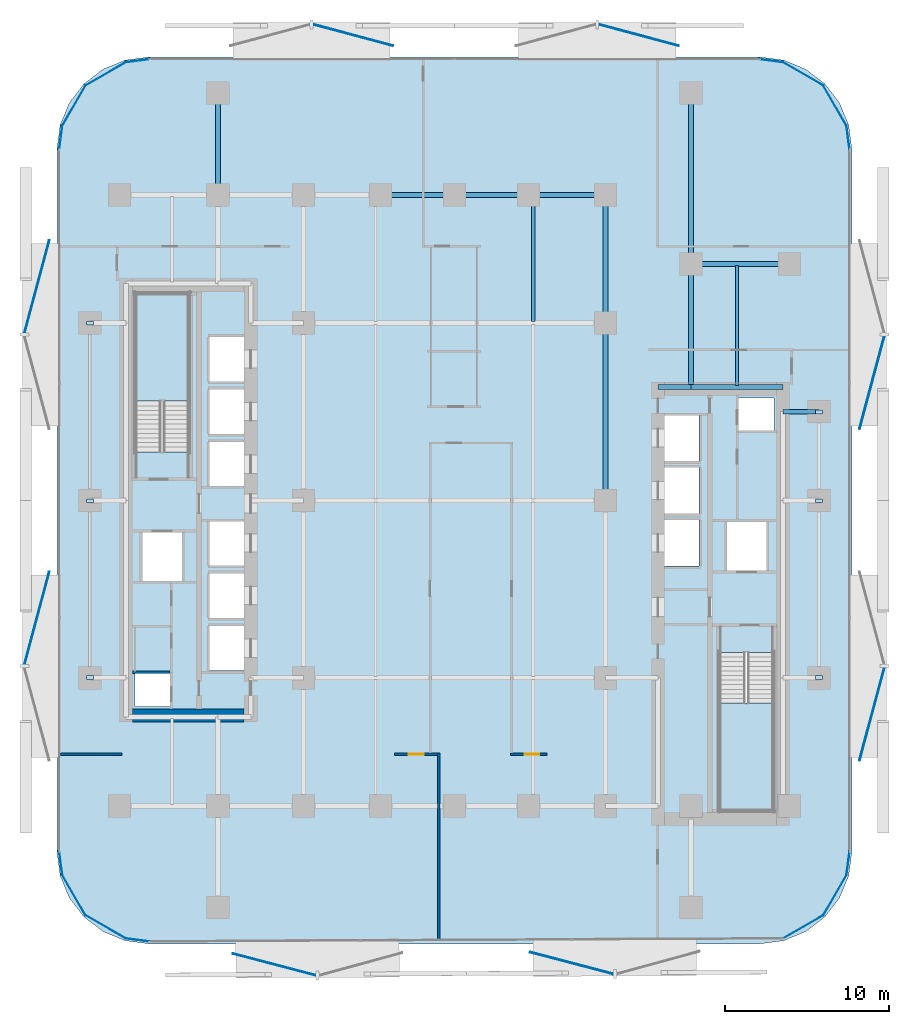
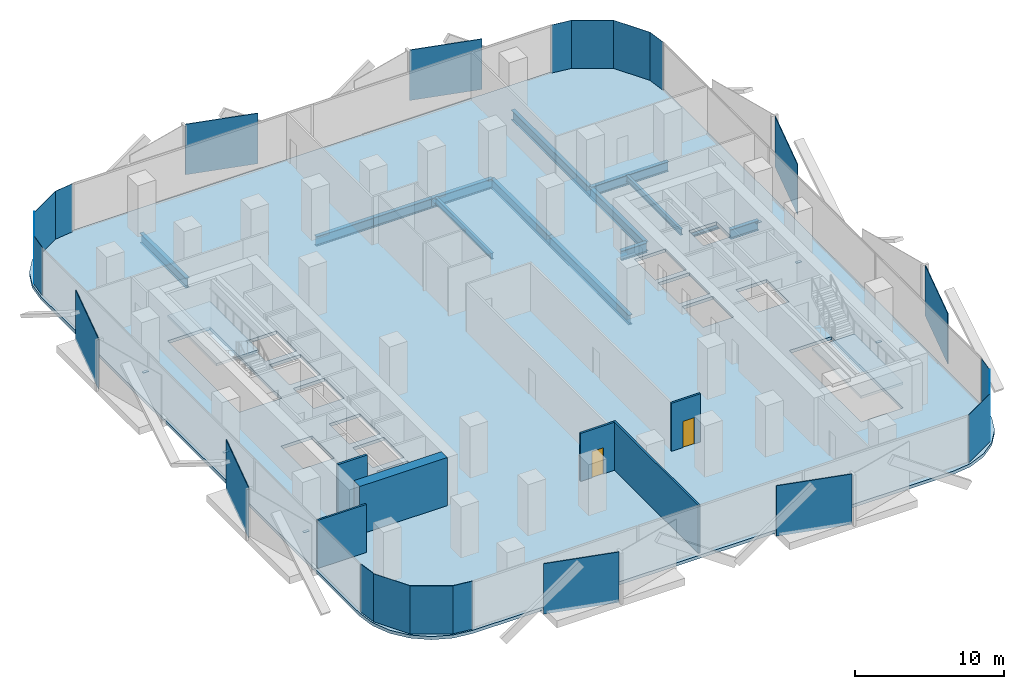
# One storey, part 2 of 14: 29 plates, 14 beams, 6 walls, 3 slabs, 2 doors, 2 openings, 2 elements without a shape of their own.
"""IFC4 building model written with IfcOpenShell, lengths in metres."""

from ifc_helpers import new_model, si_unit, direction, frame, frame_2d, origin, origin_2d, place, context, subcontext, project, spatial, polyline, rectangle, i_section, outline, extrude, material, layer, layer_set, material_profile, profile_set, type_object, element, fill, aggregate, save


model = new_model("IFC4")

# Units and contexts
model_context = context("Model", 3, precision=1e-05, world=origin(), true_north=direction((0.0, 1.0)))
body_context = subcontext(model_context, "Body", "Model", "MODEL_VIEW")
ifc_project = project(units=[si_unit("LENGTHUNIT", "METRE"), si_unit("AREAUNIT", "SQUARE_METRE"), si_unit("VOLUMEUNIT", "CUBIC_METRE"), si_unit("PLANEANGLEUNIT", "RADIAN"), si_unit("MASSUNIT", "GRAM", prefix="KILO")], contexts=[model_context])

# Site, building, storey
site_placement = place(None, origin())
site = spatial("IfcSite", under=ifc_project, at=site_placement, CompositionType="ELEMENT")
building_placement = place(site_placement, origin())
building = spatial("IfcBuilding", under=site, at=building_placement, Name="Khairoan Windgate Tower", CompositionType="ELEMENT")
storey_placement = place(building_placement, frame((0.0, 0.0, 63.800048828125)))
storey = spatial("IfcBuildingStorey", under=building, at=storey_placement, Name="L15", CompositionType="ELEMENT", Elevation=63.800048828125)

# Beams
ifc_material_1 = material(Name="Steel S355", Category="steel")
ifc_material_profile_1 = material_profile(ifc_material_1, i_section(OverallWidth=0.300048828125, OverallDepth=0.800048828125, WebThickness=0.013916015625, FlangeThickness=0.02587890625, FilletRadius=0.028076171875, at=origin_2d()))
ifc_profile_set_1 = profile_set([ifc_material_profile_1], Name="Steel S355")
beam_type_1 = type_object("IfcBeamType", Name="Beam B-G2 H800x300x14x26", PredefinedType="BEAM", material=ifc_profile_set_1)
beam_1_placement = place(storey_placement, frame((20.0, 5.39990234375, -0.66015625), z_axis=(1.0, 0.0, 0.0), x_axis=(0.0, 1.0, 0.0)))
element("IfcBeam", 1, at=beam_1_placement, inside=storey, type_object=beam_type_1, Name="L15 E-W Primary Girder 19", PredefinedType="BEAM", context=body_context, shape_type="SweptSolid", body=[
    extrude(i_section(OverallWidth=0.300048828125, OverallDepth=0.800048828125, WebThickness=0.013916015625, FlangeThickness=0.02587890625, FilletRadius=0.028076171875, at=origin_2d()), origin(), (0.0, 0.0, 1.0), 2.199951171875),
])
beam_2_placement = place(storey_placement, frame((12.39990234375, 6.89990234375, -0.66015625), z_axis=(1.0, 0.0, 0.0), x_axis=(0.0, 1.0, 0.0)))
element("IfcBeam", 2, at=beam_2_placement, inside=storey, type_object=beam_type_1, Name="L15 E-W Primary Girder 20", PredefinedType="BEAM", context=body_context, shape_type="SweptSolid", body=[
    extrude(i_section(OverallWidth=0.300048828125, OverallDepth=0.800048828125, WebThickness=0.013916015625, FlangeThickness=0.02587890625, FilletRadius=0.028076171875, at=origin_2d()), origin(), (0.0, 0.0, 1.0), 2.0),
])
beam_3_placement = place(storey_placement, frame((14.39990234375, 6.89990234375, -0.66015625), z_axis=(1.0, 0.0, 0.0), x_axis=(0.0, 1.0, 0.0)))
element("IfcBeam", 3, at=beam_3_placement, inside=storey, type_object=beam_type_1, Name="L15 E-W Primary Girder 21", PredefinedType="BEAM", context=body_context, shape_type="SweptSolid", body=[
    extrude(i_section(OverallWidth=0.300048828125, OverallDepth=0.800048828125, WebThickness=0.013916015625, FlangeThickness=0.02587890625, FilletRadius=0.028076171875, at=origin_2d()), origin(), (0.0, 0.0, 1.0), 5.60009765625),
])
beam_4_placement = place(storey_placement, frame((14.39990234375, 14.39990234375, -0.66015625), z_axis=(1.0, 0.0, 0.0), x_axis=(0.0, 1.0, 0.0)))
element("IfcBeam", 4, at=beam_4_placement, inside=storey, type_object=beam_type_1, Name="L15 E-W Primary Girder 27", PredefinedType="BEAM", context=body_context, shape_type="SweptSolid", body=[
    extrude(i_section(OverallWidth=0.300048828125, OverallDepth=0.800048828125, WebThickness=0.013916015625, FlangeThickness=0.02587890625, FilletRadius=0.028076171875, at=origin_2d()), origin(), (0.0, 0.0, 1.0), 6.0),
])
for number, where, z_axis, x_axis, name in (
    (5, (-4.5, 18.60009765625, -0.66015625), (1.0, 0.0, 0.0), (0.0, 1.0, 0.0), "L15 E-W Primary Girder 31"),
    (6, (0.0, 18.60009765625, -0.66015625), (1.0, 0.0, 0.0), (0.0, 1.0, 0.0), "L15 E-W Primary Girder 32"),
):
    element("IfcBeam", number, at=place(storey_placement, frame(where, z_axis=z_axis, x_axis=x_axis)), inside=storey, type_object=beam_type_1, Name=name, PredefinedType="BEAM", context=body_context, shape_type="SweptSolid", body=[
        extrude(i_section(OverallWidth=0.300048828125, OverallDepth=0.800048828125, WebThickness=0.013916015625, FlangeThickness=0.02587890625, FilletRadius=0.028076171875, at=origin_2d()), origin(), (0.0, 0.0, 1.0), 4.5),
    ])
beam_5_placement = place(storey_placement, frame((4.5, 18.60009765625, -0.66015625), z_axis=(1.0, 0.0, 0.0), x_axis=(0.0, 1.0, 0.0)))
element("IfcBeam", 7, at=beam_5_placement, inside=storey, type_object=beam_type_1, Name="L15 E-W Primary Girder 33", PredefinedType="BEAM", context=body_context, shape_type="SweptSolid", body=[
    extrude(i_section(OverallWidth=0.300048828125, OverallDepth=0.800048828125, WebThickness=0.013916015625, FlangeThickness=0.02587890625, FilletRadius=0.028076171875, at=origin_2d()), origin(), (0.0, 0.0, 1.0), 4.699951171875),
])
beam_6_placement = place(storey_placement, frame((-14.39990234375, 18.60009765625, -0.66015625), z_axis=(0.0, 1.0, 0.0), x_axis=(-1.0, 0.0, 0.0)))
element("IfcBeam", 8, at=beam_6_placement, inside=storey, type_object=beam_type_1, Name="L15 N-S Primary Beam 43", PredefinedType="BEAM", context=body_context, shape_type="SweptSolid", body=[
    extrude(i_section(OverallWidth=0.300048828125, OverallDepth=0.800048828125, WebThickness=0.013916015625, FlangeThickness=0.02587890625, FilletRadius=0.028076171875, at=origin_2d()), origin(), (0.0, 0.0, 1.0), 6.199951171875),
])
beam_7_placement = place(storey_placement, frame((9.199951171875, 0.0, -0.66015625), z_axis=(0.0, 1.0, 0.0), x_axis=(-1.0, 0.0, 0.0)))
element("IfcBeam", 9, at=beam_7_placement, inside=storey, type_object=beam_type_1, Name="L15 N-S Primary Beam 52", PredefinedType="BEAM", context=body_context, shape_type="SweptSolid", body=[
    extrude(i_section(OverallWidth=0.300048828125, OverallDepth=0.800048828125, WebThickness=0.013916015625, FlangeThickness=0.02587890625, FilletRadius=0.028076171875, at=origin_2d()), origin(), (0.0, 0.0, 1.0), 10.800048828125),
])
beam_8_placement = place(storey_placement, frame((9.199951171875, 10.800048828125, -0.66015625), z_axis=(0.0, 1.0, 0.0), x_axis=(-1.0, 0.0, 0.0)))
element("IfcBeam", 10, at=beam_8_placement, inside=storey, type_object=beam_type_1, Name="L15 N-S Primary Beam 53", PredefinedType="BEAM", context=body_context, shape_type="SweptSolid", body=[
    extrude(i_section(OverallWidth=0.300048828125, OverallDepth=0.800048828125, WebThickness=0.013916015625, FlangeThickness=0.02587890625, FilletRadius=0.028076171875, at=origin_2d()), origin(), (0.0, 0.0, 1.0), 7.800048828125),
])
beam_9_placement = place(storey_placement, frame((14.39990234375, 6.89990234375, -0.66015625), z_axis=(0.0, 1.0, 0.0), x_axis=(-1.0, 0.0, 0.0)))
element("IfcBeam", 11, at=beam_9_placement, inside=storey, type_object=beam_type_1, Name="L15 N-S Primary Beam 56", PredefinedType="BEAM", context=body_context, shape_type="SweptSolid", body=[
    extrude(i_section(OverallWidth=0.300048828125, OverallDepth=0.800048828125, WebThickness=0.013916015625, FlangeThickness=0.02587890625, FilletRadius=0.028076171875, at=origin_2d()), origin(), (0.0, 0.0, 1.0), 7.5),
])
beam_10_placement = place(storey_placement, frame((14.39990234375, 14.39990234375, -0.66015625), z_axis=(0.0, 1.0, 0.0), x_axis=(-1.0, 0.0, 0.0)))
element("IfcBeam", 12, at=beam_10_placement, inside=storey, type_object=beam_type_1, Name="L15 N-S Primary Beam 57", PredefinedType="BEAM", context=body_context, shape_type="SweptSolid", body=[
    extrude(i_section(OverallWidth=0.300048828125, OverallDepth=0.800048828125, WebThickness=0.013916015625, FlangeThickness=0.02587890625, FilletRadius=0.028076171875, at=origin_2d()), origin(), (0.0, 0.0, 1.0), 10.400146484375),
])
ifc_material_2 = material(Name="Steel S355", Category="steel")
ifc_material_profile_2 = material_profile(ifc_material_2, i_section(OverallWidth=0.199951171875, OverallDepth=0.5, WebThickness=0.010009765625, FlangeThickness=0.01611328125, FilletRadius=0.02001953125, at=origin_2d()))
ifc_profile_set_2 = profile_set([ifc_material_profile_2], Name="Steel S355")
beam_type_2 = type_object("IfcBeamType", Name="Beam J-S2 H500x200x10x16", PredefinedType="JOIST", material=ifc_profile_set_2)
beam_11_placement = place(storey_placement, frame((4.800048828125, 10.889892578125, -0.510009765625), z_axis=(0.0, 1.0, 0.0), x_axis=(-1.0, 0.0, 0.0)))
element("IfcBeam", 13, at=beam_11_placement, inside=storey, type_object=beam_type_2, Name="L15 Secondary Floor Joist 10", PredefinedType="JOIST", context=body_context, shape_type="SweptSolid", body=[
    extrude(i_section(OverallWidth=0.199951171875, OverallDepth=0.5, WebThickness=0.010009765625, FlangeThickness=0.01611328125, FilletRadius=0.02001953125, at=origin_2d()), origin(), (0.0, 0.0, 1.0), 7.6201171875),
])
beam_12_placement = place(storey_placement, frame((17.199951171875, 6.989990234375, -0.510009765625), z_axis=(0.0, 1.0, 0.0), x_axis=(-1.0, 0.0, 0.0)))
element("IfcBeam", 14, at=beam_12_placement, inside=storey, type_object=beam_type_2, Name="L15 Secondary Floor Joist 11", PredefinedType="JOIST", context=body_context, shape_type="SweptSolid", body=[
    extrude(i_section(OverallWidth=0.199951171875, OverallDepth=0.5, WebThickness=0.010009765625, FlangeThickness=0.01611328125, FilletRadius=0.02001953125, at=origin_2d()), origin(), (0.0, 0.0, 1.0), 7.320068359375),
])

# Plates
ifc_material_3 = material(Name="Low-E Solar Control Laminated Glass", Category="glass")
ifc_layer_1 = layer(ifc_material_3, 0.030029296875, Name="Low-E Solar Control Laminated Glass")
ifc_layer_set_1 = layer_set([ifc_layer_1], Name="Low-E Solar Control Laminated Glass")
plate_type_1 = type_object("IfcPlateType", Name="Aerodynamic Wind-Corner Curved Glazing Plate", PredefinedType="USERDEFINED", material=ifc_layer_set_1)
plate_placement = place(storey_placement, frame((-19.302001953125, -26.766357421875, 0.0), z_axis=(0.0, 0.0, 1.0), x_axis=(-0.991444861374, 0.13052619222, 0.0)))
element("IfcPlate", 15, at=plate_placement, inside=storey, type_object=plate_type_1, Name="L15 Aerodynamic Wind-Corner Curved Glazing Panel 2", ObjectType="GLAZING PANEL", PredefinedType="USERDEFINED", context=body_context, shape_type="SweptSolid", body=[
    extrude(rectangle(XDim=1.474365234375, YDim=0.028076171875, at=origin_2d()), origin(), (0.0, 0.0, 1.0), 3.93994140625),
])
for number, where, z_axis, x_axis, name in (
    (16, (-21.236328125, -25.96630859375, 0.0), (0.0, 0.0, 1.0), (-0.866025403784, 0.5, 0.0), "L15 Aerodynamic Wind-Corner Curved Glazing Panel 3"),
    (17, (-23.16650390625, -24.03662109375, 0.0), (0.0, 0.0, 1.0), (-0.5, 0.866025403784, 0.0), "L15 Aerodynamic Wind-Corner Curved Glazing Panel 4"),
):
    element("IfcPlate", number, at=place(storey_placement, frame(where, z_axis=z_axis, x_axis=x_axis)), inside=storey, type_object=plate_type_1, Name=name, ObjectType="GLAZING PANEL", PredefinedType="USERDEFINED", context=body_context, shape_type="SweptSolid", body=[
        extrude(rectangle(XDim=2.86572265625, YDim=0.028076171875, at=origin_2d()), origin(), (0.0, 0.0, 1.0), 3.93994140625),
    ])
for number, where, z_axis, x_axis, name in (
    (18, (-23.96630859375, -22.101806640625, 0.0), (0.0, 0.0, 1.0), (-0.13052619222, 0.991444861374, 0.0), "L15 Aerodynamic Wind-Corner Curved Glazing Panel 5"),
    (19, (-23.96630859375, 22.101806640625, 0.0), (0.0, 0.0, 1.0), (0.13052619222, 0.991444861374, 0.0), "L15 Aerodynamic Wind-Corner Curved Glazing Panel 7"),
):
    element("IfcPlate", number, at=place(storey_placement, frame(where, z_axis=z_axis, x_axis=x_axis)), inside=storey, type_object=plate_type_1, Name=name, ObjectType="GLAZING PANEL", PredefinedType="USERDEFINED", context=body_context, shape_type="SweptSolid", body=[
        extrude(rectangle(XDim=1.474365234375, YDim=0.028076171875, at=origin_2d()), origin(), (0.0, 0.0, 1.0), 3.93994140625),
    ])
for number, where, z_axis, x_axis, name in (
    (20, (-23.16650390625, 24.03662109375, 0.0), (0.0, 0.0, 1.0), (0.5, 0.866025403784, 0.0), "L15 Aerodynamic Wind-Corner Curved Glazing Panel 8"),
    (21, (-21.236328125, 25.96630859375, 0.0), (0.0, 0.0, 1.0), (0.866025403784, 0.5, 0.0), "L15 Aerodynamic Wind-Corner Curved Glazing Panel 9"),
):
    element("IfcPlate", number, at=place(storey_placement, frame(where, z_axis=z_axis, x_axis=x_axis)), inside=storey, type_object=plate_type_1, Name=name, ObjectType="GLAZING PANEL", PredefinedType="USERDEFINED", context=body_context, shape_type="SweptSolid", body=[
        extrude(rectangle(XDim=2.86572265625, YDim=0.028076171875, at=origin_2d()), origin(), (0.0, 0.0, 1.0), 3.93994140625),
    ])
for number, where, z_axis, x_axis, name in (
    (22, (-19.302001953125, 26.766357421875, 0.0), (0.0, 0.0, 1.0), (0.991444861374, 0.13052619222, 0.0), "L15 Aerodynamic Wind-Corner Curved Glazing Panel 10"),
    (23, (19.302001953125, 26.766357421875, 0.0), (0.0, 0.0, 1.0), (0.991444861374, -0.13052619222, 0.0), "L15 Aerodynamic Wind-Corner Curved Glazing Panel 12"),
):
    element("IfcPlate", number, at=place(storey_placement, frame(where, z_axis=z_axis, x_axis=x_axis)), inside=storey, type_object=plate_type_1, Name=name, ObjectType="GLAZING PANEL", PredefinedType="USERDEFINED", context=body_context, shape_type="SweptSolid", body=[
        extrude(rectangle(XDim=1.474365234375, YDim=0.028076171875, at=origin_2d()), origin(), (0.0, 0.0, 1.0), 3.93994140625),
    ])
for number, where, z_axis, x_axis, name in (
    (24, (21.236328125, 25.96630859375, 0.0), (0.0, 0.0, 1.0), (0.866025403784, -0.5, 0.0), "L15 Aerodynamic Wind-Corner Curved Glazing Panel 13"),
    (25, (23.16650390625, 24.03662109375, 0.0), (0.0, 0.0, 1.0), (0.5, -0.866025403784, 0.0), "L15 Aerodynamic Wind-Corner Curved Glazing Panel 14"),
):
    element("IfcPlate", number, at=place(storey_placement, frame(where, z_axis=z_axis, x_axis=x_axis)), inside=storey, type_object=plate_type_1, Name=name, ObjectType="GLAZING PANEL", PredefinedType="USERDEFINED", context=body_context, shape_type="SweptSolid", body=[
        extrude(rectangle(XDim=2.86572265625, YDim=0.028076171875, at=origin_2d()), origin(), (0.0, 0.0, 1.0), 3.93994140625),
    ])
for number, where, z_axis, x_axis, name in (
    (26, (23.96630859375, 22.101806640625, 0.0), (0.0, 0.0, 1.0), (0.13052619222, -0.991444861374, 0.0), "L15 Aerodynamic Wind-Corner Curved Glazing Panel 15"),
    (27, (23.96630859375, -22.101806640625, 0.0), (0.0, 0.0, 1.0), (-0.13052619222, -0.991444861374, 0.0), "L15 Aerodynamic Wind-Corner Curved Glazing Panel 17"),
):
    element("IfcPlate", number, at=place(storey_placement, frame(where, z_axis=z_axis, x_axis=x_axis)), inside=storey, type_object=plate_type_1, Name=name, ObjectType="GLAZING PANEL", PredefinedType="USERDEFINED", context=body_context, shape_type="SweptSolid", body=[
        extrude(rectangle(XDim=1.474365234375, YDim=0.028076171875, at=origin_2d()), origin(), (0.0, 0.0, 1.0), 3.93994140625),
    ])
for number, where, z_axis, x_axis, name in (
    (28, (23.16650390625, -24.03662109375, 0.0), (0.0, 0.0, 1.0), (-0.5, -0.866025403784, 0.0), "L15 Aerodynamic Wind-Corner Curved Glazing Panel 18"),
    (29, (21.236328125, -25.96630859375, 0.0), (0.0, 0.0, 1.0), (-0.866025403784, -0.5, 0.0), "L15 Aerodynamic Wind-Corner Curved Glazing Panel 19"),
):
    element("IfcPlate", number, at=place(storey_placement, frame(where, z_axis=z_axis, x_axis=x_axis)), inside=storey, type_object=plate_type_1, Name=name, ObjectType="GLAZING PANEL", PredefinedType="USERDEFINED", context=body_context, shape_type="SweptSolid", body=[
        extrude(rectangle(XDim=2.86572265625, YDim=0.028076171875, at=origin_2d()), origin(), (0.0, 0.0, 1.0), 3.93994140625),
    ])
ifc_material_4 = material(Name="Steel S355", Category="steel")
ifc_layer_2 = layer(ifc_material_4, 0.0400390625, Name="Steel S355")
ifc_layer_set_2 = layer_set([ifc_layer_2], Name="Steel S355")
plate_type_2 = type_object("IfcPlateType", Name="Hollow Section End-Cap Plate PL-CAP40", PredefinedType="SHEET", material=ifc_layer_set_2)
for number, where, z_axis, x_axis, name in (
    (30, (-22.199951171875, -10.784912109375, -0.47998046875), (0.0, 0.0, 1.0), (0.0, 1.0, 0.0), "BM-SP-L15-034 steel end-cap plate 1"),
    (31, (-22.199951171875, -0.014892578125, -0.47998046875), (0.0, 0.0, 1.0), (0.0, 1.0, 0.0), "BM-SP-L15-034 steel end-cap plate 2"),
    (32, (-22.199951171875, 10.784912109375, -0.47998046875), (0.0, 0.0, 1.0), (0.0, 1.0, 0.0), "BM-SP-L15-035 steel end-cap plate 2"),
    (33, (22.199951171875, -10.784912109375, -0.47998046875), (0.0, 0.0, 1.0), (0.0, 1.0, 0.0), "BM-SP-L15-061 steel end-cap plate 1"),
    (34, (22.199951171875, -0.014892578125, -0.47998046875), (0.0, 0.0, 1.0), (0.0, 1.0, 0.0), "BM-SP-L15-061 steel end-cap plate 2"),
    (35, (22.199951171875, 5.385009765625, -0.47998046875), (0.0, 0.0, 1.0), (0.0, 1.0, 0.0), "BM-SP-L15-062 steel end-cap plate 2"),
):
    element("IfcPlate", number, at=place(storey_placement, frame(where, z_axis=z_axis, x_axis=x_axis)), inside=storey, type_object=plate_type_2, Name=name, PredefinedType="SHEET", context=body_context, shape_type="SweptSolid", body=[
        extrude(rectangle(XDim=0.219970703125, YDim=0.419921875, at=origin_2d()), origin(), (0.0, 0.0, 1.0), 0.0400390625),
    ])
ifc_material_5 = material(Name="Anodised Bronze Aluminium 6063-T6", Category="aluminium")
ifc_layer_3 = layer(ifc_material_5, 0.054931640625, Name="Anodised Bronze Aluminium 6063-T6")
ifc_layer_set_3 = layer_set([ifc_layer_3], Name="Anodised Bronze Aluminium 6063-T6")
plate_type_3 = type_object("IfcPlateType", Name="Perforated Bronze Solar Screen Panel BSP-1", PredefinedType="USERDEFINED", material=ifc_layer_set_3)
for number, where, z_axis, x_axis, name in (
    (36, (7.143310546875, -28.17578125, -0.10009765625), (0.0, 0.0, 1.0), (-0.967179115616, 0.254095569259, 0.0), "L15 Perforated Bronze Solar Screen Panel 73R"),
    (37, (-10.95849609375, -28.263671875, -0.10009765625), (0.0, 0.0, 1.0), (-0.967179115616, 0.254095569259, 0.0), "L15 Perforated Bronze Solar Screen Panel 74R"),
):
    element("IfcPlate", number, at=place(storey_placement, frame(where, z_axis=z_axis, x_axis=x_axis)), inside=storey, type_object=plate_type_3, Name=name, ObjectType="SCREEN", PredefinedType="USERDEFINED", context=body_context, shape_type="SweptSolid", body=[
        extrude(rectangle(XDim=5.25, YDim=0.054931640625, at=origin_2d()), origin(), (0.0, 0.0, 1.0), 4.139892578125),
    ])
for number, where, z_axis, x_axis, name in (
    (38, (-25.42236328125, -7.177734375, -0.10009765625), (0.0, 0.0, 1.0), (0.258819045103, 0.965925826289, 0.0), "L15 Perforated Bronze Solar Screen Panel 75R"),
    (39, (-25.42236328125, 13.01318359375, -0.10009765625), (0.0, 0.0, 1.0), (0.258819045103, 0.965925826289, 0.0), "L15 Perforated Bronze Solar Screen Panel 76R"),
):
    element("IfcPlate", number, at=place(storey_placement, frame(where, z_axis=z_axis, x_axis=x_axis)), inside=storey, type_object=plate_type_3, Name=name, ObjectType="SCREEN", PredefinedType="USERDEFINED", context=body_context, shape_type="SweptSolid", body=[
        extrude(rectangle(XDim=5.85498046875, YDim=0.054931640625, at=origin_2d()), origin(), (0.0, 0.0, 1.0), 4.139892578125),
    ])
for number, where, z_axis, x_axis, name in (
    (40, (-6.169921875, 28.327392578125, -0.10009765625), (0.0, 0.0, 1.0), (0.965925826289, -0.258819045103, 0.0), "L15 Perforated Bronze Solar Screen Panel 77R"),
    (41, (11.220947265625, 28.327392578125, -0.10009765625), (0.0, 0.0, 1.0), (0.965925826289, -0.258819045103, 0.0), "L15 Perforated Bronze Solar Screen Panel 78R"),
):
    element("IfcPlate", number, at=place(storey_placement, frame(where, z_axis=z_axis, x_axis=x_axis)), inside=storey, type_object=plate_type_3, Name=name, ObjectType="SCREEN", PredefinedType="USERDEFINED", context=body_context, shape_type="SweptSolid", body=[
        extrude(rectangle(XDim=5.04296875, YDim=0.054931640625, at=origin_2d()), origin(), (0.0, 0.0, 1.0), 4.139892578125),
    ])
for number, where, z_axis, x_axis, name in (
    (42, (25.42236328125, 7.177734375, -0.10009765625), (0.0, 0.0, 1.0), (-0.258819045103, -0.965925826289, 0.0), "L15 Perforated Bronze Solar Screen Panel 79R"),
    (43, (25.42236328125, -13.01318359375, -0.10009765625), (0.0, 0.0, 1.0), (-0.258819045103, -0.965925826289, 0.0), "L15 Perforated Bronze Solar Screen Panel 80R"),
):
    element("IfcPlate", number, at=place(storey_placement, frame(where, z_axis=z_axis, x_axis=x_axis)), inside=storey, type_object=plate_type_3, Name=name, ObjectType="SCREEN", PredefinedType="USERDEFINED", context=body_context, shape_type="SweptSolid", body=[
        extrude(rectangle(XDim=5.85498046875, YDim=0.054931640625, at=origin_2d()), origin(), (0.0, 0.0, 1.0), 4.139892578125),
    ])

# Stair, slab
ifc_material_6 = material(Name="Concrete C40/50", Category="concrete")
stair_type = type_object("IfcStairType", Name="Tower Core Dog-Leg Stair ST-T1 1560mm", PredefinedType="HALF_TURN_STAIR", material=ifc_material_6)
stair_1_placement = place(storey_placement, origin())
stair_1 = element("IfcStair", 44, at=stair_1_placement, inside=storey, type_object=stair_type, Name="L15 Stair ST1", PredefinedType="HALF_TURN_STAIR")
ifc_material_7 = material(Name="Concrete C40/50", Category="concrete")
ifc_layer_4 = layer(ifc_material_7, 0.199951171875, Name="Concrete C40/50")
ifc_layer_set_4 = layer_set([ifc_layer_4], Name="Concrete C40/50")
slab_type_1 = type_object("IfcSlabType", Name="Reinforced Concrete Stair Landing Slab STL-200", PredefinedType="LANDING", material=ifc_layer_set_4)
slab_1_placement = place(storey_placement, frame((0.0, 0.0, 1.89990234375)))
slab_1 = element("IfcSlab", 45, at=slab_1_placement, type_object=slab_type_1, Name="ST1 landing 1", PredefinedType="LANDING", context=body_context, shape_type="SweptSolid", body=[
    extrude(outline(polyline([(16.14990234375, -12.340087890625), (16.14990234375, -18.89990234375), (19.419921875, -18.89990234375), (19.419921875, -12.340087890625), (16.14990234375, -12.340087890625)])), origin(), (0.0, 0.0, 1.0), 0.199951171875),
])
aggregate(stair_1, [slab_1])

stair_2_placement = place(storey_placement, origin())
stair_2 = element("IfcStair", 46, at=stair_2_placement, inside=storey, type_object=stair_type, Name="L15 Stair ST2", PredefinedType="HALF_TURN_STAIR")
slab_2_placement = place(storey_placement, frame((0.0, 0.0, 1.89990234375)))
slab_2 = element("IfcSlab", 47, at=slab_2_placement, type_object=slab_type_1, Name="ST2 landing 1", PredefinedType="LANDING", context=body_context, shape_type="SweptSolid", body=[
    extrude(outline(polyline([(-16.14990234375, 6.0400390625), (-16.14990234375, 12.60009765625), (-19.419921875, 12.60009765625), (-19.419921875, 6.0400390625), (-16.14990234375, 6.0400390625)])), origin(), (0.0, 0.0, 1.0), 0.199951171875),
])
aggregate(stair_2, [slab_2])

# Slab
ifc_material_8 = material(Name="Concrete C40/50", Category="concrete")
ifc_layer_5 = layer(ifc_material_8, 0.260009765625, Name="Concrete C40/50")
ifc_layer_set_5 = layer_set([ifc_layer_5], Name="Concrete C40/50")
slab_type_2 = type_object("IfcSlabType", Name="Tower Composite Floor Slab FS2 260mm", PredefinedType="FLOOR", material=ifc_layer_set_5)
slab_3_placement = place(storey_placement, frame((0.0, 0.0, -0.260009765625)))
element("IfcSlab", 48, at=slab_3_placement, inside=storey, type_object=slab_type_2, Name="L15 Structural Floor Slab", PredefinedType="FLOOR", context=body_context, shape_type="SweptSolid", body=[
    extrude(outline(polyline([(18.60009765625, -27.0), (20.04931640625, -26.80908203125), (21.39990234375, -26.249755859375), (22.559814453125, -25.35986328125), (23.44970703125, -24.199951171875), (24.00927734375, -22.849365234375), (24.199951171875, -21.39990234375), (24.199951171875, 21.39990234375), (24.00927734375, 22.849365234375), (23.44970703125, 24.199951171875), (22.559814453125, 25.35986328125), (21.39990234375, 26.249755859375), (20.04931640625, 26.80908203125), (18.60009765625, 27.0), (-18.60009765625, 27.0), (-20.04931640625, 26.80908203125), (-21.39990234375, 26.249755859375), (-22.559814453125, 25.35986328125), (-23.44970703125, 24.199951171875), (-24.00927734375, 22.849365234375), (-24.199951171875, 21.39990234375), (-24.199951171875, -21.39990234375), (-24.00927734375, -22.849365234375), (-23.44970703125, -24.199951171875), (-22.559814453125, -25.35986328125), (-21.39990234375, -26.249755859375), (-20.04931640625, -26.80908203125), (-18.60009765625, -27.0), (18.60009765625, -27.0)]), holes=[polyline([(16.14990234375, -9.260009765625), (16.14990234375, -18.89990234375), (19.419921875, -18.89990234375), (19.419921875, -9.260009765625), (16.14990234375, -9.260009765625)]), polyline([(-16.14990234375, 2.9599609375), (-16.14990234375, 12.60009765625), (-19.419921875, 12.60009765625), (-19.419921875, 2.9599609375), (-16.14990234375, 2.9599609375)]), polyline([(-14.89990234375, 7.25), (-12.5, 7.25), (-12.5, 9.949951171875), (-14.89990234375, 9.949951171875), (-14.89990234375, 7.25)]), polyline([(-14.89990234375, 4.050048828125), (-12.5, 4.050048828125), (-12.5, 6.75), (-14.89990234375, 6.75), (-14.89990234375, 4.050048828125)]), polyline([(-14.89990234375, 0.85009765625), (-12.5, 0.85009765625), (-12.5, 3.550048828125), (-14.89990234375, 3.550048828125), (-14.89990234375, 0.85009765625)]), polyline([(-14.89990234375, -3.949951171875), (-12.5, -3.949951171875), (-12.5, -1.25), (-14.89990234375, -1.25), (-14.89990234375, -3.949951171875)]), polyline([(-14.89990234375, -7.14990234375), (-12.5, -7.14990234375), (-12.5, -4.449951171875), (-14.89990234375, -4.449951171875), (-14.89990234375, -7.14990234375)]), polyline([(-14.89990234375, -10.35009765625), (-12.5, -10.35009765625), (-12.5, -7.64990234375), (-14.89990234375, -7.64990234375), (-14.89990234375, -10.35009765625)]), polyline([(12.5, 2.39990234375), (14.89990234375, 2.39990234375), (14.89990234375, 5.199951171875), (12.5, 5.199951171875), (12.5, 2.39990234375)]), polyline([(12.5, -0.800048828125), (14.89990234375, -0.800048828125), (14.89990234375, 2.0), (12.5, 2.0), (12.5, -0.800048828125)]), polyline([(12.5, -4.0), (14.89990234375, -4.0), (14.89990234375, -1.199951171875), (12.5, -1.199951171875), (12.5, -4.0)]), polyline([(16.60009765625, -4.300048828125), (19.0, -4.300048828125), (19.0, -1.300048828125), (16.60009765625, -1.300048828125), (16.60009765625, -4.300048828125)]), polyline([(-19.0, -4.89990234375), (-16.60009765625, -4.89990234375), (-16.60009765625, -1.89990234375), (-19.0, -1.89990234375), (-19.0, -4.89990234375)]), polyline([(-19.449951171875, -12.550048828125), (-17.31005859375, -12.550048828125), (-17.31005859375, -10.550048828125), (-19.449951171875, -10.550048828125), (-19.449951171875, -12.550048828125)]), polyline([(17.31005859375, 4.25), (19.449951171875, 4.25), (19.449951171875, 6.25), (17.31005859375, 6.25), (17.31005859375, 4.25)])]), origin(), (0.0, 0.0, 1.0), 0.260009765625),
])

# Walls
ifc_material_9 = material(Name="Acoustic Fire-Rated Gypsum Partition", Category="gypsum")
ifc_layer_6 = layer(ifc_material_9, 0.139892578125, Name="Acoustic Fire-Rated Gypsum Partition")
ifc_layer_set_6 = layer_set([ifc_layer_6], Name="Acoustic Fire-Rated Gypsum Partition")
wall_type_1 = type_object("IfcWallType", Name="Inter-Tenancy Compartment Wall", PredefinedType="PARTITIONING", material=ifc_layer_set_6)
wall_1_placement = place(storey_placement, frame((-24.054931640625, -15.4599609375, 0.0), z_axis=(0.0, 0.0, 1.0), x_axis=(1.0, 0.0, 0.0)))
element("IfcWall", 49, at=wall_1_placement, inside=storey, type_object=wall_type_1, Name="L15 Interior Partition 021", PredefinedType="PARTITIONING", context=body_context, shape_type="SweptSolid", body=[
    extrude(rectangle(XDim=3.81494140625, YDim=0.139892578125, at=frame_2d((1.907470703125, 0.0))), origin(), (0.0, 0.0, 1.0), 3.93994140625),
])
wall_2_placement = place(storey_placement, frame((-0.951904296875, -26.76953125, 0.0), z_axis=(0.0, 0.0, 1.0), x_axis=(0.0, 1.0, 0.0)))
element("IfcWall", 50, at=wall_2_placement, inside=storey, type_object=wall_type_1, Name="L15 Interior Partition 027", PredefinedType="PARTITIONING", context=body_context, shape_type="SweptSolid", body=[
    extrude(rectangle(XDim=11.384521484375, YDim=0.139892578125, at=frame_2d((5.6923828125, 0.0))), origin(), (0.0, 0.0, 1.0), 3.93994140625),
])
ifc_material_10 = material(Name="Concrete C40/50", Category="concrete")
ifc_layer_7 = layer(ifc_material_10, 0.159912109375, Name="Concrete C40/50")
ifc_layer_set_7 = layer_set([ifc_layer_7], Name="Concrete C40/50")
wall_type_2 = type_object("IfcWallType", Name="Plant and Refuge Compartment Wall", PredefinedType="PARTITIONING", material=ifc_layer_set_7)
wall_3_placement = place(storey_placement, frame((-19.60009765625, -10.469970703125, 0.0), z_axis=(0.0, 0.0, 1.0), x_axis=(1.0, 0.0, 0.0)))
element("IfcWall", 51, at=wall_3_placement, inside=storey, type_object=wall_type_2, Name="L15 Interior Partition 004", PredefinedType="PARTITIONING", context=body_context, shape_type="SweptSolid", body=[
    extrude(rectangle(XDim=2.2900390625, YDim=0.159912109375, at=frame_2d((1.14501953125, 0.0))), origin(), (0.0, 0.0, 1.0), 3.93994140625),
])

# Wall, opening, door
ifc_material_11 = material(Name="Acoustic Fire-Rated Gypsum Partition", Category="gypsum")
ifc_layer_8 = layer(ifc_material_11, 0.14990234375, Name="Acoustic Fire-Rated Gypsum Partition")
ifc_layer_set_8 = layer_set([ifc_layer_8], Name="Acoustic Fire-Rated Gypsum Partition")
wall_type_3 = type_object("IfcWallType", Name="Rated Corridor Partition Wall", PredefinedType="PARTITIONING", material=ifc_layer_set_8)
wall_4_placement = place(storey_placement, frame((-3.639892578125, -15.4599609375, 0.0), z_axis=(0.0, 0.0, 1.0), x_axis=(1.0, 0.0, 0.0)))
wall_4 = element("IfcWall", 52, at=wall_4_placement, inside=storey, type_object=wall_type_3, Name="L15 Interior Partition 012", PredefinedType="PARTITIONING", context=body_context, shape_type="SweptSolid", body=[
    extrude(rectangle(XDim=2.617919921875, YDim=0.14990234375, at=frame_2d((1.30908203125, 0.0))), origin(), (0.0, 0.0, 1.0), 3.93994140625),
])
opening_1_placement = place(wall_4_placement, frame((0.8701171875, 0.0, 0.0)))
opening_1 = element("IfcOpeningElement", 53, at=opening_1_placement, cuts=wall_4, Name="Opening FD-ENT", PredefinedType="OPENING", context=body_context, shape_type="SweptSolid", body=[
    extrude(rectangle(XDim=0.89990234375, YDim=2.14990234375, at=frame_2d((0.449951171875, 1.074951171875))), frame((0.0, 0.0849609375, 0.0), z_axis=(0.0, -1.0, 0.0), x_axis=(1.0, 0.0, 0.0)), (0.0, 0.0, 1.0), 0.169921875),
])
ifc_material_12 = material(Name="Timber Fire-Rated Core", Category="wood")
door_type = type_object("IfcDoorType", Name="Unit and Office Fire Entrance Door FD-ENT 900x2150", OperationType="NOTDEFINED", PredefinedType="DOOR", material=ifc_material_12)
door_1_placement = place(opening_1_placement, origin())
door_1 = element("IfcDoor", 54, at=door_1_placement, inside=storey, type_object=door_type, Name="L15 L15-31-L15-41 Door", OperationType="SINGLE_SWING_LEFT", OverallHeight=2.14990234375, OverallWidth=0.89990234375, PredefinedType="DOOR", context=body_context, shape_type="SweptSolid", body=[
    extrude(rectangle(XDim=0.89990234375, YDim=2.14990234375, at=frame_2d((0.449951171875, 1.074951171875))), frame((0.0, 0.02490234375, 0.0), z_axis=(0.0, -1.0, 0.0), x_axis=(1.0, 0.0, 0.0)), (0.0, 0.0, 1.0), 0.050048828125),
])
fill(opening_1, door_1)

wall_5_placement = place(storey_placement, frame((3.409912109375, -15.4599609375, 0.0), z_axis=(0.0, 0.0, 1.0), x_axis=(1.0, 0.0, 0.0)))
wall_5 = element("IfcWall", 55, at=wall_5_placement, inside=storey, type_object=wall_type_3, Name="L15 Interior Partition 014", PredefinedType="PARTITIONING", context=body_context, shape_type="SweptSolid", body=[
    extrude(rectangle(XDim=2.22998046875, YDim=0.14990234375, at=frame_2d((1.114990234375, 0.0))), origin(), (0.0, 0.0, 1.0), 3.93994140625),
])
opening_2_placement = place(wall_5_placement, frame((0.8701171875, 0.0, 0.0)))
opening_2 = element("IfcOpeningElement", 56, at=opening_2_placement, cuts=wall_5, Name="Opening FD-ENT", PredefinedType="OPENING", context=body_context, shape_type="SweptSolid", body=[
    extrude(rectangle(XDim=0.89990234375, YDim=2.14990234375, at=frame_2d((0.449951171875, 1.074951171875))), frame((0.0, 0.0849609375, 0.0), z_axis=(0.0, -1.0, 0.0), x_axis=(1.0, 0.0, 0.0)), (0.0, 0.0, 1.0), 0.169921875),
])
door_2_placement = place(opening_2_placement, origin())
door_2 = element("IfcDoor", 57, at=door_2_placement, inside=storey, type_object=door_type, Name="L15 L15-32-L15-42 Door", OperationType="SINGLE_SWING_LEFT", OverallHeight=2.14990234375, OverallWidth=0.89990234375, PredefinedType="DOOR", context=body_context, shape_type="SweptSolid", body=[
    extrude(rectangle(XDim=0.89990234375, YDim=2.14990234375, at=frame_2d((0.449951171875, 1.074951171875))), frame((0.0, 0.02490234375, 0.0), z_axis=(0.0, -1.0, 0.0), x_axis=(1.0, 0.0, 0.0)), (0.0, 0.0, 1.0), 0.050048828125),
])
fill(opening_2, door_2)

# Wall
ifc_material_13 = material(Name="Concrete C70/85", Category="concrete")
ifc_layer_9 = layer(ifc_material_13, 0.800048828125, Name="Concrete C70/85")
ifc_layer_set_9 = layer_set([ifc_layer_9], Name="Concrete C70/85")
wall_type_4 = type_object("IfcWallType", Name="Shear Wall CW-W1 800mm", PredefinedType="SHEAR", material=ifc_layer_set_9)
wall_6_placement = place(storey_placement, frame((-19.60009765625, -13.10009765625, 0.0), z_axis=(0.0, 0.0, 1.0), x_axis=(1.0, 0.0, 0.0)))
element("IfcWall", 58, at=wall_6_placement, inside=storey, type_object=wall_type_4, Name="W Core South Shear Wall L15", PredefinedType="SHEAR", context=body_context, shape_type="SweptSolid", body=[
    extrude(rectangle(XDim=6.800048828125, YDim=0.800048828125, at=frame_2d((3.39990234375, 0.0))), origin(), (0.0, 0.0, 1.0), 3.93994140625),
])

save(model, "model.ifc")
